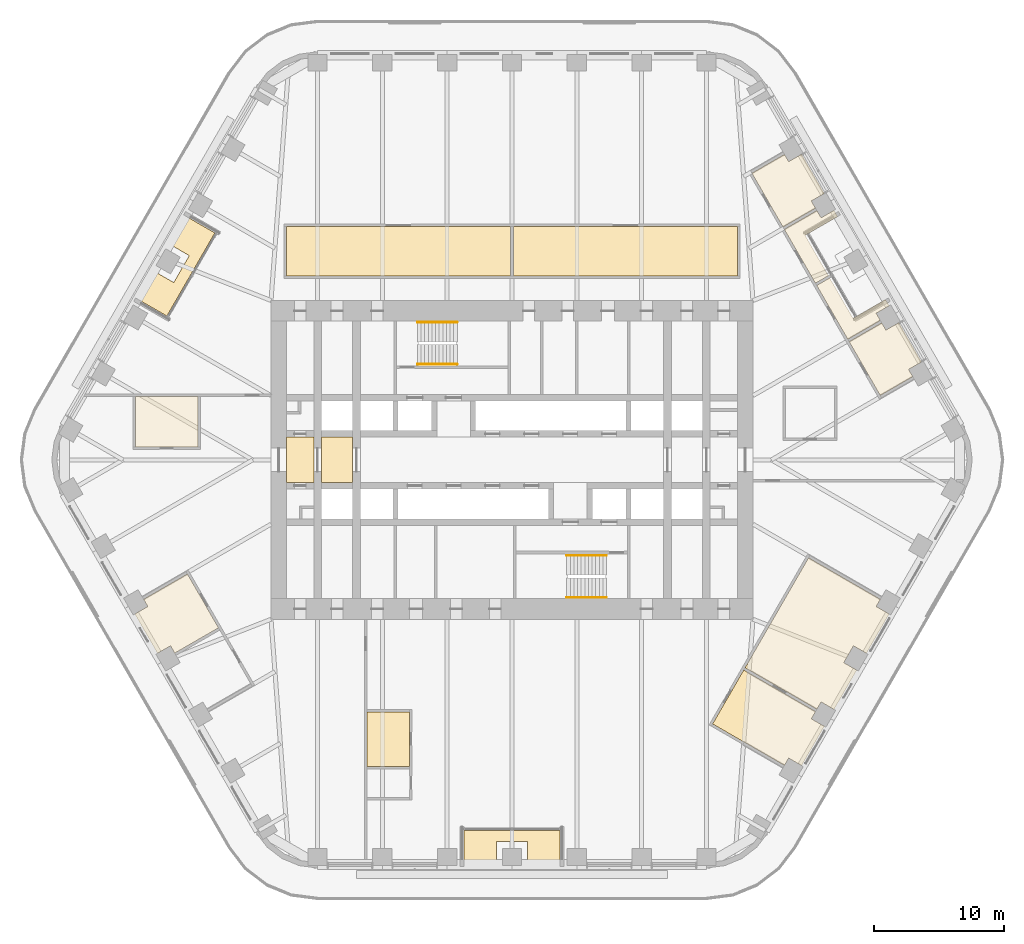
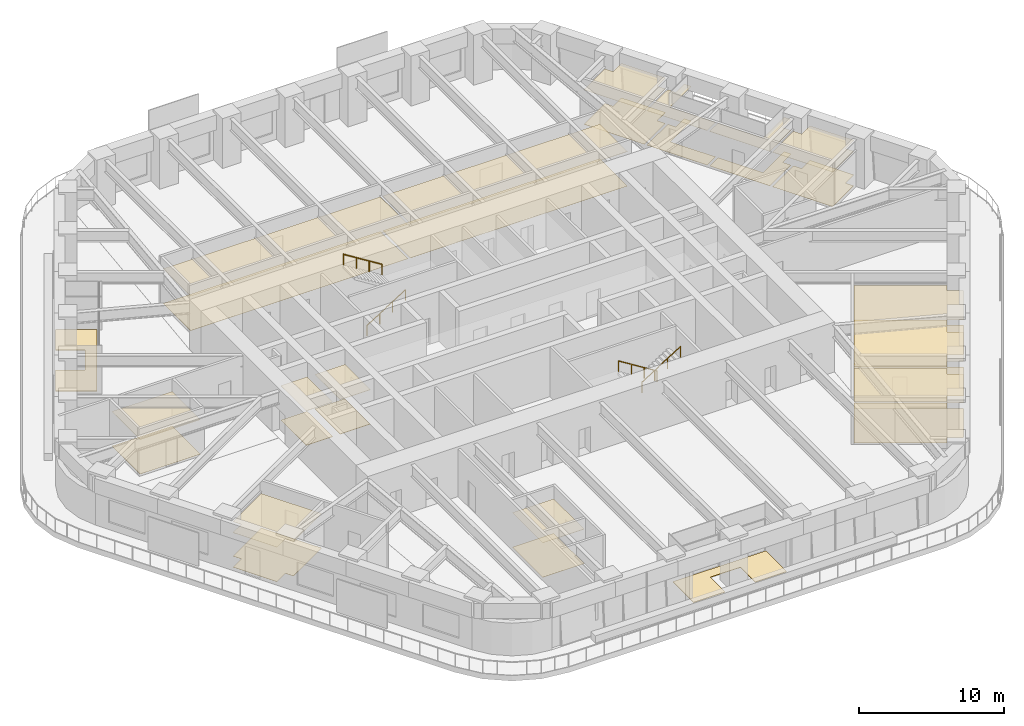
# One storey, part 22 of 24: 8 coverings, 4 railings.
"""IFC4 building model written with IfcOpenShell, lengths in metres."""

from ifc_helpers import new_model, si_unit, direction, frame, origin, origin_2d, place, context, subcontext, project, spatial, polyline, circle, outline, extrude, material, layer, layer_set, type_object, element, save


model = new_model("IFC4")

# Units and contexts
model_context = context("Model", 3, precision=1e-05, world=origin(), true_north=direction((0.0, 1.0)))
body_context = subcontext(model_context, "Body", "Model", "MODEL_VIEW")
ifc_project = project(units=[si_unit("LENGTHUNIT", "METRE"), si_unit("AREAUNIT", "SQUARE_METRE"), si_unit("VOLUMEUNIT", "CUBIC_METRE"), si_unit("PLANEANGLEUNIT", "RADIAN"), si_unit("MASSUNIT", "GRAM", prefix="KILO")], contexts=[model_context])

# Site, building, storey
site_placement = place(None, origin())
site = spatial("IfcSite", under=ifc_project, at=site_placement, CompositionType="ELEMENT")
building_placement = place(site_placement, origin())
building = spatial("IfcBuilding", under=site, at=building_placement, Name="Tarfa Lantern Tower", CompositionType="ELEMENT")
storey_placement = place(building_placement, frame((0.0, 0.0, 190.89990234375)))
storey = spatial("IfcBuildingStorey", under=building, at=storey_placement, Name="L43", CompositionType="ELEMENT", Elevation=190.89990234375)

# Coverings
ifc_material_1 = material(Name="Mineral fibre acoustic tile on suspension grid", Category="finish")
ifc_layer_1 = layer(ifc_material_1, 0.02001953125)
ifc_layer_set_1 = layer_set([ifc_layer_1], Name="CL1 ACOUSTIC TILE CEILING 20")
covering_type_1 = type_object("IfcCoveringType", Name="CL1 ACOUSTIC TILE CEILING 20", PredefinedType="CEILING", material=ifc_layer_set_1)
covering_1_placement = place(storey_placement, frame((0.0, 0.0, 2.900146484375)))
element("IfcCovering", 1, at=covering_1_placement, inside=storey, type_object=covering_type_1, Name="Ceiling L43 CL1", PredefinedType="CEILING", context=body_context, shape_type="SweptSolid", body=[
    extrude(outline(polyline([(-17.39990234375, 18.0), (-0.10009765625, 18.0), (-0.10009765625, 14.199951171875), (-17.39990234375, 14.199951171875), (-17.39990234375, 18.0)])), origin(), (0.0, 0.0, 1.0), 0.02001953125),
    extrude(outline(polyline([(26.021240234375, 9.130126953125), (28.53271484375, 10.580078125), (28.857666015625, 10.01708984375), (29.853515625, 10.592041015625), (31.60546875, 7.557861328125), (30.609375, 6.98291015625), (30.9345703125, 6.419921875), (28.423095703125, 4.969970703125), (26.021240234375, 9.130126953125)])), origin(), (0.0, 0.0, 1.0), 0.02001953125),
    extrude(outline(polyline([(25.921142578125, 9.30322265625), (23.519287109375, 13.46337890625), (24.51513671875, 14.038330078125), (26.317138671875, 10.91748046875), (28.82861328125, 12.367431640625), (29.103515625, 11.89111328125), (28.107666015625, 11.316162109375), (28.4326171875, 10.753173828125), (25.921142578125, 9.30322265625)])), origin(), (0.0, 0.0, 1.0), 0.02001953125),
    extrude(outline(polyline([(21.017333984375, 17.796630859375), (23.52880859375, 19.246826171875), (23.85400390625, 18.683837890625), (24.849853515625, 19.2587890625), (25.124755859375, 18.782470703125), (22.61328125, 17.33251953125), (24.415283203125, 14.211669921875), (23.419189453125, 13.63671875), (21.017333984375, 17.796630859375)])), origin(), (0.0, 0.0, 1.0), 0.02001953125),
    extrude(outline(polyline([(18.515625, 22.130126953125), (21.027099609375, 23.580078125), (21.35205078125, 23.01708984375), (22.347900390625, 23.592041015625), (24.099853515625, 20.557861328125), (23.10400390625, 19.98291015625), (23.428955078125, 19.419921875), (20.91748046875, 17.969970703125), (18.515625, 22.130126953125)])), origin(), (0.0, 0.0, 1.0), 0.02001953125),
    extrude(outline(polyline([(17.88623046875, -16.219970703125), (23.428955078125, -19.419921875), (23.10400390625, -19.98291015625), (24.099853515625, -20.557861328125), (22.347900390625, -23.592041015625), (21.35205078125, -23.01708984375), (21.027099609375, -23.580078125), (15.484375, -20.380126953125), (17.88623046875, -16.219970703125)])), origin(), (0.0, 0.0, 1.0), 0.02001953125),
    extrude(outline(polyline([(22.89013671875, -7.55322265625), (28.4326171875, -10.753173828125), (28.107666015625, -11.316162109375), (29.103515625, -11.89111328125), (27.351806640625, -14.925537109375), (26.355712890625, -14.3505859375), (25.605712890625, -15.6494140625), (26.601806640625, -16.224609375), (24.849853515625, -19.2587890625), (23.85400390625, -18.683837890625), (23.52880859375, -19.246826171875), (17.986328125, -16.046630859375), (22.89013671875, -7.55322265625)])), origin(), (0.0, 0.0, 1.0), 0.02001953125),
    extrude(outline(polyline([(-22.6533203125, -12.96337890625), (-26.03076171875, -14.913330078125), (-26.355712890625, -14.3505859375), (-27.351806640625, -14.925537109375), (-29.103515625, -11.89111328125), (-28.107666015625, -11.316162109375), (-28.4326171875, -10.753173828125), (-25.05517578125, -8.80322265625), (-22.6533203125, -12.96337890625)])), origin(), (0.0, 0.0, 1.0), 0.02001953125),
    extrude(outline(polyline([(-7.89990234375, -23.64990234375), (-11.199951171875, -23.64990234375), (-11.199951171875, -19.449951171875), (-7.89990234375, -19.449951171875), (-7.89990234375, -23.64990234375)])), origin(), (0.0, 0.0, 1.0), 0.02001953125),
    extrude(outline(polyline([(-29.047607421875, 1.0), (-29.047607421875, 4.89990234375), (-24.247802734375, 4.89990234375), (-24.247802734375, 1.0), (-29.047607421875, 1.0)])), origin(), (0.0, 0.0, 1.0), 0.02001953125),
    extrude(outline(polyline([(0.10009765625, 18.0), (17.39990234375, 18.0), (17.39990234375, 14.199951171875), (0.10009765625, 14.199951171875), (0.10009765625, 18.0)])), origin(), (0.0, 0.0, 1.0), 0.02001953125),
])
ifc_material_2 = material(Name="Powder-coated aluminium panel", Category="aluminium")
ifc_layer_2 = layer(ifc_material_2, 0.030029296875)
ifc_layer_set_2 = layer_set([ifc_layer_2], Name="CL3 METAL PANEL CEILING 30")
covering_type_2 = type_object("IfcCoveringType", Name="CL3 METAL PANEL CEILING 30", PredefinedType="CEILING", material=ifc_layer_set_2)
covering_2_placement = place(storey_placement, frame((0.0, 0.0, 2.900146484375)))
element("IfcCovering", 2, at=covering_2_placement, inside=storey, type_object=covering_type_2, Name="Ceiling L43-01", PredefinedType="CEILING", context=body_context, shape_type="SweptSolid", body=[
    extrude(outline(polyline([(-17.39990234375, -1.75), (-15.300048828125, -1.75), (-15.300048828125, 1.75), (-17.39990234375, 1.75), (-17.39990234375, -1.75)])), origin(), (0.0, 0.0, 1.0), 0.030029296875),
])
covering_3_placement = place(storey_placement, frame((0.0, 0.0, 2.900146484375)))
element("IfcCovering", 3, at=covering_3_placement, inside=storey, type_object=covering_type_2, Name="Ceiling L43-02", PredefinedType="CEILING", context=body_context, shape_type="SweptSolid", body=[
    extrude(outline(polyline([(-14.699951171875, -1.75), (-12.300048828125, -1.75), (-12.300048828125, 1.75), (-14.699951171875, 1.75), (-14.699951171875, -1.75)])), origin(), (0.0, 0.0, 1.0), 0.030029296875),
])
ifc_material_3 = material(Name="Nylon carpet tile", Category="finish")
ifc_layer_3 = layer(ifc_material_3, 0.010009765625)
ifc_layer_set_3 = layer_set([ifc_layer_3], Name="FL1 CARPET TILE 10")
covering_type_3 = type_object("IfcCoveringType", Name="FL1 CARPET TILE 10", PredefinedType="FLOORING", material=ifc_layer_set_3)
covering_4_placement = place(storey_placement, origin())
element("IfcCovering", 4, at=covering_4_placement, inside=storey, type_object=covering_type_3, Name="Floor finish L43 FL1", PredefinedType="FLOORING", context=body_context, shape_type="SweptSolid", body=[
    extrude(outline(polyline([(-17.39990234375, 18.0), (-0.10009765625, 18.0), (-0.10009765625, 14.199951171875), (-17.39990234375, 14.199951171875), (-17.39990234375, 18.0)])), origin(), (0.0, 0.0, 1.0), 0.010009765625),
    extrude(outline(polyline([(26.021240234375, 9.130126953125), (28.53271484375, 10.580078125), (28.857666015625, 10.01708984375), (29.853515625, 10.592041015625), (31.60546875, 7.557861328125), (30.609375, 6.98291015625), (30.9345703125, 6.419921875), (28.423095703125, 4.969970703125), (26.021240234375, 9.130126953125)])), origin(), (0.0, 0.0, 1.0), 0.010009765625),
    extrude(outline(polyline([(25.921142578125, 9.30322265625), (23.519287109375, 13.46337890625), (24.51513671875, 14.038330078125), (26.317138671875, 10.91748046875), (28.82861328125, 12.367431640625), (29.103515625, 11.89111328125), (28.107666015625, 11.316162109375), (28.4326171875, 10.753173828125), (25.921142578125, 9.30322265625)])), origin(), (0.0, 0.0, 1.0), 0.010009765625),
    extrude(outline(polyline([(21.017333984375, 17.796630859375), (23.52880859375, 19.246826171875), (23.85400390625, 18.683837890625), (24.849853515625, 19.2587890625), (25.124755859375, 18.782470703125), (22.61328125, 17.33251953125), (24.415283203125, 14.211669921875), (23.419189453125, 13.63671875), (21.017333984375, 17.796630859375)])), origin(), (0.0, 0.0, 1.0), 0.010009765625),
    extrude(outline(polyline([(18.515625, 22.130126953125), (21.027099609375, 23.580078125), (21.35205078125, 23.01708984375), (22.347900390625, 23.592041015625), (24.099853515625, 20.557861328125), (23.10400390625, 19.98291015625), (23.428955078125, 19.419921875), (20.91748046875, 17.969970703125), (18.515625, 22.130126953125)])), origin(), (0.0, 0.0, 1.0), 0.010009765625),
    extrude(outline(polyline([(17.88623046875, -16.219970703125), (23.428955078125, -19.419921875), (23.10400390625, -19.98291015625), (24.099853515625, -20.557861328125), (22.347900390625, -23.592041015625), (21.35205078125, -23.01708984375), (21.027099609375, -23.580078125), (15.484375, -20.380126953125), (17.88623046875, -16.219970703125)])), origin(), (0.0, 0.0, 1.0), 0.010009765625),
    extrude(outline(polyline([(22.89013671875, -7.55322265625), (28.4326171875, -10.753173828125), (28.107666015625, -11.316162109375), (29.103515625, -11.89111328125), (27.351806640625, -14.925537109375), (26.355712890625, -14.3505859375), (25.605712890625, -15.6494140625), (26.601806640625, -16.224609375), (24.849853515625, -19.2587890625), (23.85400390625, -18.683837890625), (23.52880859375, -19.246826171875), (17.986328125, -16.046630859375), (22.89013671875, -7.55322265625)])), origin(), (0.0, 0.0, 1.0), 0.010009765625),
    extrude(outline(polyline([(-22.6533203125, -12.96337890625), (-26.03076171875, -14.913330078125), (-26.355712890625, -14.3505859375), (-27.351806640625, -14.925537109375), (-29.103515625, -11.89111328125), (-28.107666015625, -11.316162109375), (-28.4326171875, -10.753173828125), (-25.05517578125, -8.80322265625), (-22.6533203125, -12.96337890625)])), origin(), (0.0, 0.0, 1.0), 0.010009765625),
    extrude(outline(polyline([(-7.89990234375, -23.64990234375), (-11.199951171875, -23.64990234375), (-11.199951171875, -19.449951171875), (-7.89990234375, -19.449951171875), (-7.89990234375, -23.64990234375)])), origin(), (0.0, 0.0, 1.0), 0.010009765625),
    extrude(outline(polyline([(-29.047607421875, 1.0), (-29.047607421875, 4.89990234375), (-24.247802734375, 4.89990234375), (-24.247802734375, 1.0), (-29.047607421875, 1.0)])), origin(), (0.0, 0.0, 1.0), 0.010009765625),
    extrude(outline(polyline([(0.10009765625, 18.0), (17.39990234375, 18.0), (17.39990234375, 14.199951171875), (0.10009765625, 14.199951171875), (0.10009765625, 18.0)])), origin(), (0.0, 0.0, 1.0), 0.010009765625),
])
ifc_material_4 = material(Name="Honed limestone flooring", Category="masonry")
ifc_layer_4 = layer(ifc_material_4, 0.030029296875)
ifc_layer_set_4 = layer_set([ifc_layer_4], Name="FL2 STONE FLOORING 30")
covering_type_4 = type_object("IfcCoveringType", Name="FL2 STONE FLOORING 30", PredefinedType="FLOORING", material=ifc_layer_set_4)
covering_5_placement = place(storey_placement, origin())
element("IfcCovering", 5, at=covering_5_placement, inside=storey, type_object=covering_type_4, Name="Floor finish L43-01", PredefinedType="FLOORING", context=body_context, shape_type="SweptSolid", body=[
    extrude(outline(polyline([(-17.39990234375, -1.75), (-15.300048828125, -1.75), (-15.300048828125, 1.75), (-17.39990234375, 1.75), (-17.39990234375, -1.75)])), origin(), (0.0, 0.0, 1.0), 0.030029296875),
])
covering_6_placement = place(storey_placement, origin())
element("IfcCovering", 6, at=covering_6_placement, inside=storey, type_object=covering_type_4, Name="Floor finish L43-02", PredefinedType="FLOORING", context=body_context, shape_type="SweptSolid", body=[
    extrude(outline(polyline([(-14.699951171875, -1.75), (-12.300048828125, -1.75), (-12.300048828125, 1.75), (-14.699951171875, 1.75), (-14.699951171875, -1.75)])), origin(), (0.0, 0.0, 1.0), 0.030029296875),
])

# Railings
ifc_material_5 = material(Name="Stainless steel", Category="steel")
railing_type = type_object("IfcRailingType", Name="HR1 HANDRAIL 900", PredefinedType="HANDRAIL", material=ifc_material_5)
railing_1_placement = place(storey_placement, frame((-7.300048828125, 7.3798828125, 0.175048828125)))
element("IfcRailing", 7, at=railing_1_placement, inside=storey, type_object=railing_type, Name="Handrail 1", PredefinedType="HANDRAIL", context=body_context, shape_type="SweptSolid", body=[
    extrude(circle(Radius=0.02392578125, at=origin_2d()), frame((0.0, 0.0, 0.8759765625), z_axis=(0.847998304005, 0.0, 0.529998940003), x_axis=(0.0, 1.0, 0.0)), (0.0, 0.0, 1.0), 3.632080078125),
    extrude(circle(Radius=0.02099609375, at=origin_2d()), frame((0.0, 0.0, 0.0), z_axis=(0.0, 0.0, 1.0), x_axis=(0.0, 1.0, 0.0)), (0.0, 0.0, 1.0), 0.851806640625),
    extrude(circle(Radius=0.02099609375, at=origin_2d()), frame((1.026611328125, 0.0, 0.6416015625), z_axis=(0.0, 0.0, 1.0), x_axis=(0.0, 1.0, 0.0)), (0.0, 0.0, 1.0), 0.851806640625),
    extrude(circle(Radius=0.02099609375, at=origin_2d()), frame((2.053466796875, 0.0, 1.283447265625), z_axis=(0.0, 0.0, 1.0), x_axis=(0.0, 1.0, 0.0)), (0.0, 0.0, 1.0), 0.851806640625),
    extrude(circle(Radius=0.02099609375, at=origin_2d()), frame((3.080078125, 0.0, 1.925048828125), z_axis=(0.0, 0.0, 1.0), x_axis=(0.0, 1.0, 0.0)), (0.0, 0.0, 1.0), 0.851806640625),
])
for number, where, name in (
    (8, (-4.219970703125, 10.6201171875, 2.275146484375), "Handrail 2"),
    (9, (7.300048828125, -7.3798828125, 0.175048828125), "Handrail 1"),
):
    element("IfcRailing", number, at=place(storey_placement, frame(where)), inside=storey, type_object=railing_type, Name=name, PredefinedType="HANDRAIL", context=body_context, shape_type="SweptSolid", body=[
        extrude(circle(Radius=0.02392578125, at=origin_2d()), frame((0.0, 0.0, 0.8759765625), z_axis=(-0.847998304005, 0.0, 0.529998940003), x_axis=(0.0, -1.0, 0.0)), (0.0, 0.0, 1.0), 3.632080078125),
        extrude(circle(Radius=0.02099609375, at=origin_2d()), frame((0.0, 0.0, 0.0), z_axis=(0.0, 0.0, 1.0), x_axis=(0.0, -1.0, 0.0)), (0.0, 0.0, 1.0), 0.851806640625),
        extrude(circle(Radius=0.02099609375, at=origin_2d()), frame((-1.026611328125, 0.0, 0.6416015625), z_axis=(0.0, 0.0, 1.0), x_axis=(0.0, -1.0, 0.0)), (0.0, 0.0, 1.0), 0.851806640625),
        extrude(circle(Radius=0.02099609375, at=origin_2d()), frame((-2.053466796875, 0.0, 1.283447265625), z_axis=(0.0, 0.0, 1.0), x_axis=(0.0, -1.0, 0.0)), (0.0, 0.0, 1.0), 0.851806640625),
        extrude(circle(Radius=0.02099609375, at=origin_2d()), frame((-3.080078125, 0.0, 1.925048828125), z_axis=(0.0, 0.0, 1.0), x_axis=(0.0, -1.0, 0.0)), (0.0, 0.0, 1.0), 0.851806640625),
    ])
railing_2_placement = place(storey_placement, frame((4.219970703125, -10.6201171875, 2.275146484375)))
element("IfcRailing", 10, at=railing_2_placement, inside=storey, type_object=railing_type, Name="Handrail 2", PredefinedType="HANDRAIL", context=body_context, shape_type="SweptSolid", body=[
    extrude(circle(Radius=0.02392578125, at=origin_2d()), frame((0.0, 0.0, 0.8759765625), z_axis=(0.847998304005, 0.0, 0.529998940003), x_axis=(0.0, 1.0, 0.0)), (0.0, 0.0, 1.0), 3.632080078125),
    extrude(circle(Radius=0.02099609375, at=origin_2d()), frame((0.0, 0.0, 0.0), z_axis=(0.0, 0.0, 1.0), x_axis=(0.0, 1.0, 0.0)), (0.0, 0.0, 1.0), 0.851806640625),
    extrude(circle(Radius=0.02099609375, at=origin_2d()), frame((1.026611328125, 0.0, 0.6416015625), z_axis=(0.0, 0.0, 1.0), x_axis=(0.0, 1.0, 0.0)), (0.0, 0.0, 1.0), 0.851806640625),
    extrude(circle(Radius=0.02099609375, at=origin_2d()), frame((2.053466796875, 0.0, 1.283447265625), z_axis=(0.0, 0.0, 1.0), x_axis=(0.0, 1.0, 0.0)), (0.0, 0.0, 1.0), 0.851806640625),
    extrude(circle(Radius=0.02099609375, at=origin_2d()), frame((3.080078125, 0.0, 1.925048828125), z_axis=(0.0, 0.0, 1.0), x_axis=(0.0, 1.0, 0.0)), (0.0, 0.0, 1.0), 0.851806640625),
])

# Coverings
ifc_material_6 = material(Name="Porcelain pavers on pedestals", Category="ceramic")
ifc_layer_5 = layer(ifc_material_6, 0.0400390625)
ifc_layer_set_5 = layer_set([ifc_layer_5], Name="LP1 LOGGIA PAVING 40")
covering_type_5 = type_object("IfcCoveringType", Name="LP1 LOGGIA PAVING 40", PredefinedType="FLOORING", material=ifc_layer_set_5)
covering_7_placement = place(storey_placement, origin())
element("IfcCovering", 11, at=covering_7_placement, inside=storey, type_object=covering_type_5, Name="Loggia paving NW", PredefinedType="FLOORING", context=body_context, shape_type="SweptSolid", body=[
    extrude(outline(polyline([(-25.427978515625, 18.95751953125), (-22.933837890625, 17.517578125), (-26.637451171875, 11.1025390625), (-29.131591796875, 12.54248046875), (-27.8798828125, 14.710693359375), (-26.1044921875, 13.685791015625), (-24.904541015625, 15.76416015625), (-26.6796875, 16.789306640625), (-25.427978515625, 18.95751953125)])), origin(), (0.0, 0.0, 1.0), 0.0400390625),
])
covering_8_placement = place(storey_placement, origin())
element("IfcCovering", 12, at=covering_8_placement, inside=storey, type_object=covering_type_5, Name="Loggia paving S", PredefinedType="FLOORING", context=body_context, shape_type="SweptSolid", body=[
    extrude(outline(polyline([(-3.70361328125, -31.5), (-3.70361328125, -28.6201171875), (3.70361328125, -28.6201171875), (3.70361328125, -31.5), (1.199951171875, -31.5), (1.199951171875, -29.449951171875), (-1.199951171875, -29.449951171875), (-1.199951171875, -31.5), (-3.70361328125, -31.5)])), origin(), (0.0, 0.0, 1.0), 0.0400390625),
])

save(model, "model.ifc")
